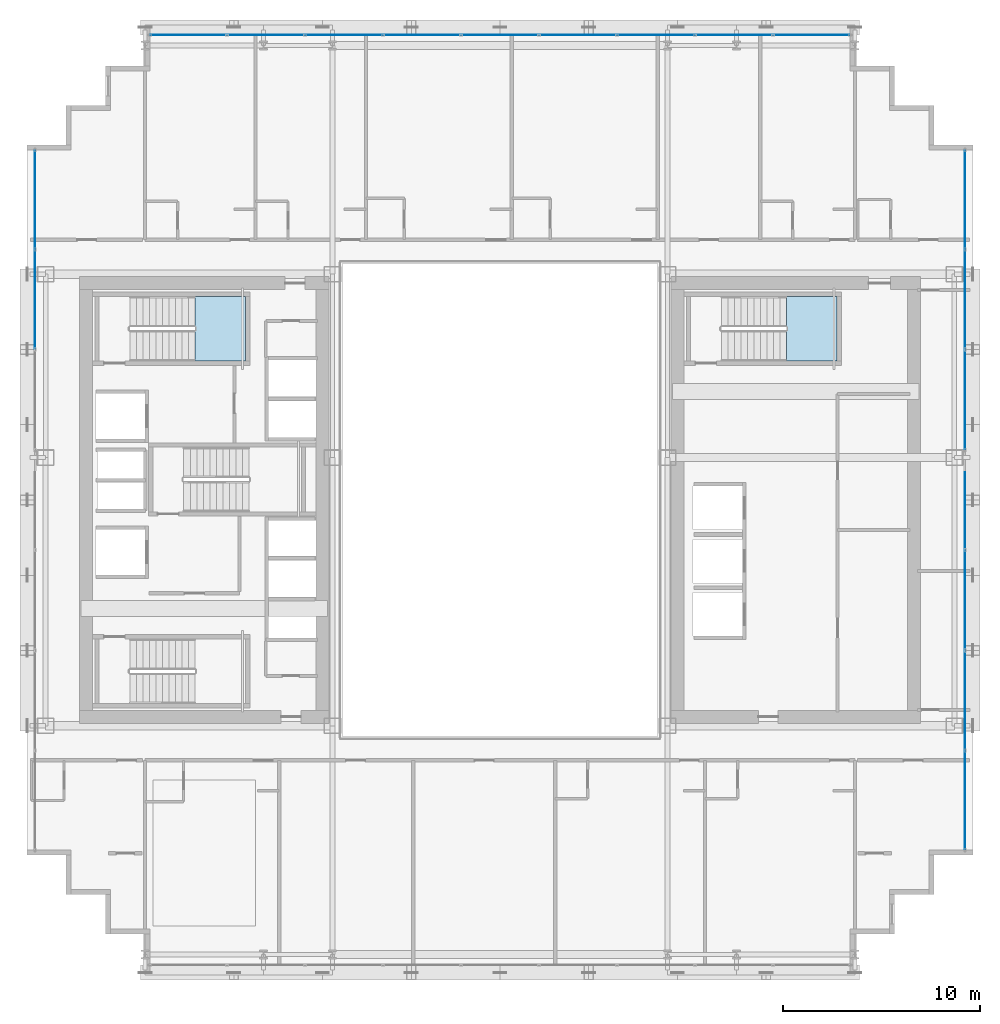
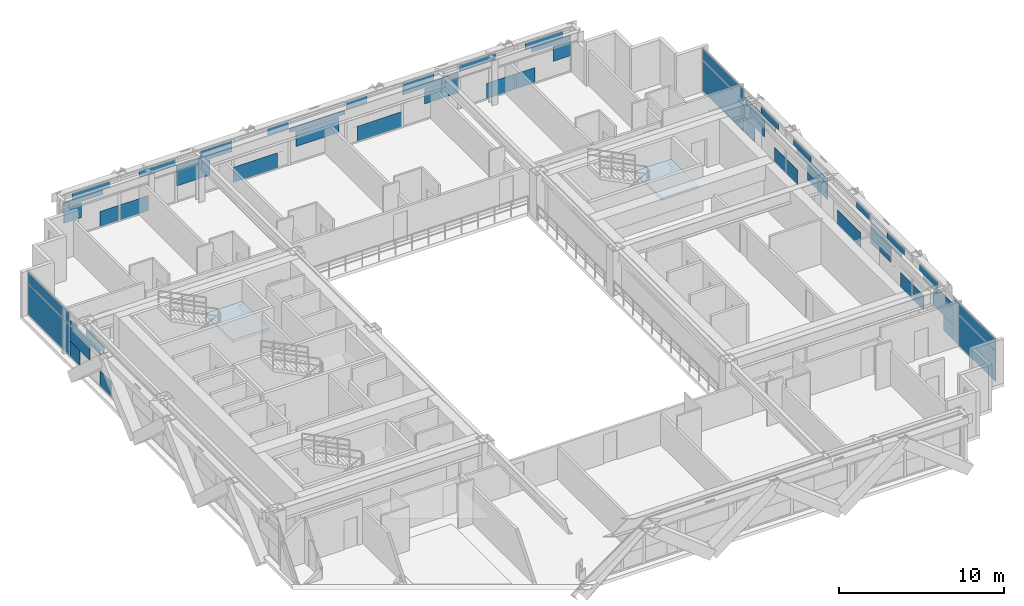
# One storey, part 24 of 36: 55 plates, 2 slabs, 5 elements without a shape of their own.
"""IFC4 building model written with IfcOpenShell, lengths in metres."""

from ifc_helpers import new_model, si_unit, direction, frame, origin, origin_2d, place, context, subcontext, project, spatial, polyline, rectangle, outline, extrude, source, transform, mapped, material, layer, layer_set, type_object, element, aggregate, save


model = new_model("IFC4")

# Units and contexts
model_context = context("Model", 3, precision=1e-05, world=origin(), true_north=direction((0.0, 1.0)))
body_context = subcontext(model_context, "Body", "Model", "MODEL_VIEW")
ifc_project = project(units=[si_unit("LENGTHUNIT", "METRE"), si_unit("AREAUNIT", "SQUARE_METRE"), si_unit("VOLUMEUNIT", "CUBIC_METRE"), si_unit("PLANEANGLEUNIT", "RADIAN"), si_unit("MASSUNIT", "GRAM", prefix="KILO")], contexts=[model_context])

# Site, building, storey
site_placement = place(None, origin())
site = spatial("IfcSite", under=ifc_project, at=site_placement, CompositionType="ELEMENT")
building_placement = place(site_placement, origin())
building = spatial("IfcBuilding", under=site, at=building_placement, Name="Ocotamira Hotel", CompositionType="ELEMENT")
storey_placement = place(building_placement, frame((0.0, 0.0, 147.60009765625)))
storey = spatial("IfcBuildingStorey", under=building, at=storey_placement, Name="L37", CompositionType="ELEMENT", Elevation=147.60009765625)

# Stair, slab
ifc_material_1 = material(Name="Concrete C40/50", Category="concrete")
stair_type = type_object("IfcStairType", Name="ST-CORE-1560", PredefinedType="HALF_TURN_STAIR", material=ifc_material_1)
stair_1_placement = place(storey_placement, origin())
stair_1 = element("IfcStair", 1, at=stair_1_placement, inside=storey, type_object=stair_type, Name="L37 Exit Stair ST-2", PredefinedType="HALF_TURN_STAIR")
ifc_layer_1 = layer(ifc_material_1, 0.199951171875)
ifc_layer_set_1 = layer_set([ifc_layer_1], Name="Concrete C40/50")
slab_type = type_object("IfcSlabType", Name="SLB-LAND-200", PredefinedType="LANDING", material=ifc_layer_set_1)
slab_1_placement = place(storey_placement, frame((0.0, 0.0, 1.599853515625)))
slab_1 = element("IfcSlab", 2, at=slab_1_placement, type_object=slab_type, Name="ST-2 landing 1", PredefinedType="LANDING", context=body_context, shape_type="SweptSolid", body=[
    extrude(outline(polyline([(16.530029296875, 33.050048828125), (19.090087890625, 33.050048828125), (19.090087890625, 36.330078125), (16.530029296875, 36.330078125), (16.530029296875, 33.050048828125)])), origin(), (0.0, 0.0, 1.0), 0.199951171875),
])
aggregate(stair_1, [slab_1])

stair_2_placement = place(storey_placement, origin())
stair_2 = element("IfcStair", 3, at=stair_2_placement, inside=storey, type_object=stair_type, Name="L37 Exit Stair ST-4", PredefinedType="HALF_TURN_STAIR")
slab_2_placement = place(storey_placement, frame((0.0, 0.0, 1.599853515625)))
slab_2 = element("IfcSlab", 4, at=slab_2_placement, type_object=slab_type, Name="ST-4 landing 1", PredefinedType="LANDING", context=body_context, shape_type="SweptSolid", body=[
    extrude(outline(polyline([(46.530029296875, 33.050048828125), (49.090087890625, 33.050048828125), (49.090087890625, 36.330078125), (46.530029296875, 36.330078125), (46.530029296875, 33.050048828125)])), origin(), (0.0, 0.0, 1.0), 0.199951171875),
])
aggregate(stair_2, [slab_2])

# Curtain wall, plate
ifc_material_2 = material(Name="Anodised pale-metal aluminium and solar glass", Category="aluminium")
ifc_layer_2 = layer(ifc_material_2, 0.179931640625)
ifc_layer_set_2 = layer_set([ifc_layer_2], Name="Anodised pale-metal aluminium and solar glass")
curtain_wall_type = type_object("IfcCurtainWallType", Name="CW-SYS3-Z2", PredefinedType="NOTDEFINED", material=ifc_layer_set_2)
curtain_wall_1_placement = place(storey_placement, origin())
curtain_wall_1 = element("IfcCurtainWall", 5, at=curtain_wall_1_placement, inside=storey, type_object=curtain_wall_type, Name="L37 Curtain Wall CW-3 CW-L37-W", PredefinedType="NOTDEFINED")
ifc_material_3 = material(Name="Double-silver low-E insulated solar glass", Category="glass")
ifc_layer_3 = layer(ifc_material_3, 0.031982421875)
ifc_layer_set_3 = layer_set([ifc_layer_3], Name="Double-silver low-E insulated solar glass")
plate_type = type_object("IfcPlateType", Name="CWP-VISION-32", PredefinedType="CURTAIN_PANEL", material=ifc_layer_set_3)
shared_shape_1 = source(origin(), body_context, "Body", "SweptSolid", [
    extrude(rectangle(XDim=4.9658203125, YDim=0.031982421875, at=origin_2d()), origin(), (0.0, 0.0, 1.0), 2.237548828125),
])
plate_1_placement = place(storey_placement, frame((8.419921875, 41.237060546875, 0.07470703125), z_axis=(0.0, 0.0, 1.0), x_axis=(0.0, 1.0, 0.0)))
plate_1 = element("IfcPlate", 6, at=plate_1_placement, type_object=plate_type, Name="CW-3 panel 7.1", PredefinedType="CURTAIN_PANEL", context=body_context, shape_type="MappedRepresentation", body=[
    mapped(shared_shape_1, transform((0.0, 0.0, 0.0), scale=1.0)),
])

# Curtain wall, plates
curtain_wall_2_placement = place(storey_placement, origin())
curtain_wall_2 = element("IfcCurtainWall", 7, at=curtain_wall_2_placement, inside=storey, type_object=curtain_wall_type, Name="L37 Curtain Wall CW-3 CW-L37-E", PredefinedType="NOTDEFINED")
plate_2_placement = place(storey_placement, frame((55.580078125, 10.762939453125, 0.07470703125), z_axis=(0.0, 0.0, 1.0), x_axis=(0.0, 1.0, 0.0)))
plate_2 = element("IfcPlate", 8, at=plate_2_placement, type_object=plate_type, Name="CW-3 panel 1.1", PredefinedType="CURTAIN_PANEL", context=body_context, shape_type="MappedRepresentation", body=[
    mapped(shared_shape_1, transform((0.0, 0.0, 0.0), scale=1.0)),
])
plate_3_placement = place(storey_placement, frame((55.580078125, 41.237060546875, 0.07470703125), z_axis=(0.0, 0.0, 1.0), x_axis=(0.0, 1.0, 0.0)))
plate_3 = element("IfcPlate", 9, at=plate_3_placement, type_object=plate_type, Name="CW-3 panel 7.1", PredefinedType="CURTAIN_PANEL", context=body_context, shape_type="MappedRepresentation", body=[
    mapped(shared_shape_1, transform((0.0, 0.0, 0.0), scale=1.0)),
])

# Plate
shared_shape_2 = source(origin(), body_context, "Body", "SweptSolid", [
    extrude(rectangle(XDim=4.9658203125, YDim=0.031982421875, at=origin_2d()), origin(), (0.0, 0.0, 1.0), 0.8173828125),
])
plate_4_placement = place(storey_placement, frame((8.419921875, 41.237060546875, 2.387451171875), z_axis=(0.0, 0.0, 1.0), x_axis=(0.0, 1.0, 0.0)))
plate_4 = element("IfcPlate", 10, at=plate_4_placement, type_object=plate_type, Name="CW-3 panel 7.2", PredefinedType="CURTAIN_PANEL", context=body_context, shape_type="MappedRepresentation", body=[
    mapped(shared_shape_2, transform((0.0, 0.0, 0.0), scale=1.0)),
])

plate_5_placement = place(storey_placement, frame((55.580078125, 10.762939453125, 2.387451171875), z_axis=(0.0, 0.0, 1.0), x_axis=(0.0, 1.0, 0.0)))
plate_5 = element("IfcPlate", 11, at=plate_5_placement, type_object=plate_type, Name="CW-3 panel 1.2", PredefinedType="CURTAIN_PANEL", context=body_context, shape_type="MappedRepresentation", body=[
    mapped(shared_shape_2, transform((0.0, 0.0, 0.0), scale=1.0)),
])

plate_6_placement = place(storey_placement, frame((55.580078125, 41.237060546875, 2.387451171875), z_axis=(0.0, 0.0, 1.0), x_axis=(0.0, 1.0, 0.0)))
plate_6 = element("IfcPlate", 12, at=plate_6_placement, type_object=plate_type, Name="CW-3 panel 7.2", PredefinedType="CURTAIN_PANEL", context=body_context, shape_type="MappedRepresentation", body=[
    mapped(shared_shape_2, transform((0.0, 0.0, 0.0), scale=1.0)),
])

# Curtain wall, plates
curtain_wall_3_placement = place(storey_placement, origin())
curtain_wall_3 = element("IfcCurtainWall", 13, at=curtain_wall_3_placement, inside=storey, type_object=curtain_wall_type, Name="L37 Curtain Wall CW-3 CW-L37-N", PredefinedType="NOTDEFINED")
shared_shape_3 = source(origin(), body_context, "Body", "SweptSolid", [
    extrude(rectangle(XDim=1.223388671875, YDim=0.031982421875, at=origin_2d()), origin(), (0.0, 0.0, 1.0), 1.118896484375),
])
plate_7_placement = place(storey_placement, frame((14.8916015625, 49.580078125, 1.193359375), z_axis=(0.0, 0.0, 1.0), x_axis=(1.0, 0.0, 0.0)))
plate_7 = element("IfcPlate", 14, at=plate_7_placement, type_object=plate_type, Name="CW-3 panel 1.1.1", PredefinedType="CURTAIN_PANEL", context=body_context, shape_type="MappedRepresentation", body=[
    mapped(shared_shape_3, transform((0.0, 0.0, 0.0), scale=1.0)),
])
plate_8_placement = place(storey_placement, frame((49.1083984375, 49.580078125, 1.193359375), z_axis=(0.0, 0.0, 1.0), x_axis=(1.0, 0.0, 0.0)))
plate_8 = element("IfcPlate", 15, at=plate_8_placement, type_object=plate_type, Name="CW-3 panel 9.1.2", PredefinedType="CURTAIN_PANEL", context=body_context, shape_type="MappedRepresentation", body=[
    mapped(shared_shape_3, transform((0.0, 0.0, 0.0), scale=1.0)),
])
shared_shape_4 = source(origin(), body_context, "Body", "SweptSolid", [
    extrude(rectangle(XDim=1.313720703125, YDim=0.031982421875, at=origin_2d()), origin(), (0.0, 0.0, 1.0), 1.11865234375),
])
plate_9_placement = place(storey_placement, frame((17.458740234375, 49.580078125, 0.074951171875), z_axis=(0.0, 0.0, 1.0), x_axis=(1.0, 0.0, 0.0)))
plate_9 = element("IfcPlate", 16, at=plate_9_placement, type_object=plate_type, Name="CW-3 panel 1.1.2", PredefinedType="CURTAIN_PANEL", context=body_context, shape_type="MappedRepresentation", body=[
    mapped(shared_shape_4, transform((0.0, 0.0, 0.0), scale=1.0)),
])
plate_10_placement = place(storey_placement, frame((46.541259765625, 49.580078125, 0.074951171875), z_axis=(0.0, 0.0, 1.0), x_axis=(1.0, 0.0, 0.0)))
plate_10 = element("IfcPlate", 17, at=plate_10_placement, type_object=plate_type, Name="CW-3 panel 9.1.1", PredefinedType="CURTAIN_PANEL", context=body_context, shape_type="MappedRepresentation", body=[
    mapped(shared_shape_4, transform((0.0, 0.0, 0.0), scale=1.0)),
])
shared_shape_5 = source(origin(), body_context, "Body", "SweptSolid", [
    extrude(rectangle(XDim=2.74951171875, YDim=0.031982421875, at=origin_2d()), origin(), (0.0, 0.0, 1.0), 0.315185546875),
])
plate_11_placement = place(storey_placement, frame((15.65478515625, 49.580078125, 2.38720703125), z_axis=(0.0, 0.0, 1.0), x_axis=(1.0, 0.0, 0.0)))
plate_11 = element("IfcPlate", 18, at=plate_11_placement, type_object=plate_type, Name="CW-3 panel 1.2.1", PredefinedType="CURTAIN_PANEL", context=body_context, shape_type="MappedRepresentation", body=[
    mapped(shared_shape_5, transform((0.0, 0.0, 0.0), scale=1.0)),
])
plate_12_placement = place(storey_placement, frame((48.34521484375, 49.580078125, 2.38720703125), z_axis=(0.0, 0.0, 1.0), x_axis=(1.0, 0.0, 0.0)))
plate_12 = element("IfcPlate", 19, at=plate_12_placement, type_object=plate_type, Name="CW-3 panel 9.2.2", PredefinedType="CURTAIN_PANEL", context=body_context, shape_type="MappedRepresentation", body=[
    mapped(shared_shape_5, transform((0.0, 0.0, 0.0), scale=1.0)),
])
shared_shape_6 = source(origin(), body_context, "Body", "SweptSolid", [
    extrude(rectangle(XDim=2.612060546875, YDim=0.031982421875, at=origin_2d()), origin(), (0.0, 0.0, 1.0), 0.474609375),
])
plate_13_placement = place(storey_placement, frame((16.16162109375, 49.580078125, 2.730224609375), z_axis=(0.0, 0.0, 1.0), x_axis=(1.0, 0.0, 0.0)))
plate_13 = element("IfcPlate", 20, at=plate_13_placement, type_object=plate_type, Name="CW-3 panel 1.2.2", PredefinedType="CURTAIN_PANEL", context=body_context, shape_type="MappedRepresentation", body=[
    mapped(shared_shape_6, transform((0.0, 0.0, 0.0), scale=1.0)),
])
plate_14_placement = place(storey_placement, frame((47.83837890625, 49.580078125, 2.730224609375), z_axis=(0.0, 0.0, 1.0), x_axis=(1.0, 0.0, 0.0)))
plate_14 = element("IfcPlate", 21, at=plate_14_placement, type_object=plate_type, Name="CW-3 panel 9.2.1", PredefinedType="CURTAIN_PANEL", context=body_context, shape_type="MappedRepresentation", body=[
    mapped(shared_shape_6, transform((0.0, 0.0, 0.0), scale=1.0)),
])
shared_shape_7 = source(origin(), body_context, "Body", "SweptSolid", [
    extrude(rectangle(XDim=2.002685546875, YDim=0.031982421875, at=origin_2d()), origin(), (0.0, 0.0, 1.0), 1.11865234375),
])
plate_15_placement = place(storey_placement, frame((19.197021484375, 49.580078125, 0.074951171875), z_axis=(0.0, 0.0, 1.0), x_axis=(1.0, 0.0, 0.0)))
plate_15 = element("IfcPlate", 22, at=plate_15_placement, type_object=plate_type, Name="CW-3 panel 2.1.1", PredefinedType="CURTAIN_PANEL", context=body_context, shape_type="MappedRepresentation", body=[
    mapped(shared_shape_7, transform((0.0, 0.0, 0.0), scale=1.0)),
])
plate_16_placement = place(storey_placement, frame((44.802978515625, 49.580078125, 0.074951171875), z_axis=(0.0, 0.0, 1.0), x_axis=(1.0, 0.0, 0.0)))
plate_16 = element("IfcPlate", 23, at=plate_16_placement, type_object=plate_type, Name="CW-3 panel 8.1.1", PredefinedType="CURTAIN_PANEL", context=body_context, shape_type="MappedRepresentation", body=[
    mapped(shared_shape_7, transform((0.0, 0.0, 0.0), scale=1.0)),
])
shared_shape_8 = source(origin(), body_context, "Body", "SweptSolid", [
    extrude(rectangle(XDim=2.538818359375, YDim=0.031982421875, at=origin_2d()), origin(), (0.0, 0.0, 1.0), 0.474609375),
])
plate_17_placement = place(storey_placement, frame((20.8017578125, 49.580078125, 2.730224609375), z_axis=(0.0, 0.0, 1.0), x_axis=(1.0, 0.0, 0.0)))
plate_17 = element("IfcPlate", 24, at=plate_17_placement, type_object=plate_type, Name="CW-3 panel 2.2.1", PredefinedType="CURTAIN_PANEL", context=body_context, shape_type="MappedRepresentation", body=[
    mapped(shared_shape_8, transform((0.0, 0.0, 0.0), scale=1.0)),
])
plate_18_placement = place(storey_placement, frame((43.1982421875, 49.580078125, 2.730224609375), z_axis=(0.0, 0.0, 1.0), x_axis=(1.0, 0.0, 0.0)))
plate_18 = element("IfcPlate", 25, at=plate_18_placement, type_object=plate_type, Name="CW-3 panel 8.2.1", PredefinedType="CURTAIN_PANEL", context=body_context, shape_type="MappedRepresentation", body=[
    mapped(shared_shape_8, transform((0.0, 0.0, 0.0), scale=1.0)),
])
shared_shape_9 = source(origin(), body_context, "Body", "SweptSolid", [
    extrude(rectangle(XDim=2.352294921875, YDim=0.031982421875, at=origin_2d()), origin(), (0.0, 0.0, 1.0), 1.118896484375),
])
plate_19_placement = place(storey_placement, frame((23.3271484375, 49.580078125, 1.193359375), z_axis=(0.0, 0.0, 1.0), x_axis=(1.0, 0.0, 0.0)))
plate_19 = element("IfcPlate", 26, at=plate_19_placement, type_object=plate_type, Name="CW-3 panel 3.1.1", PredefinedType="CURTAIN_PANEL", context=body_context, shape_type="MappedRepresentation", body=[
    mapped(shared_shape_9, transform((0.0, 0.0, 0.0), scale=1.0)),
])
plate_20_placement = place(storey_placement, frame((40.6728515625, 49.580078125, 1.193359375), z_axis=(0.0, 0.0, 1.0), x_axis=(1.0, 0.0, 0.0)))
plate_20 = element("IfcPlate", 27, at=plate_20_placement, type_object=plate_type, Name="CW-3 panel 7.1.1", PredefinedType="CURTAIN_PANEL", context=body_context, shape_type="MappedRepresentation", body=[
    mapped(shared_shape_9, transform((0.0, 0.0, 0.0), scale=1.0)),
])
shared_shape_10 = source(origin(), body_context, "Body", "SweptSolid", [
    extrude(rectangle(XDim=3.87548828125, YDim=0.031982421875, at=origin_2d()), origin(), (0.0, 0.0, 1.0), 0.315185546875),
])
plate_21_placement = place(storey_placement, frame((24.0888671875, 49.580078125, 2.38720703125), z_axis=(0.0, 0.0, 1.0), x_axis=(1.0, 0.0, 0.0)))
plate_21 = element("IfcPlate", 28, at=plate_21_placement, type_object=plate_type, Name="CW-3 panel 3.2.1", PredefinedType="CURTAIN_PANEL", context=body_context, shape_type="MappedRepresentation", body=[
    mapped(shared_shape_10, transform((0.0, 0.0, 0.0), scale=1.0)),
])
plate_22_placement = place(storey_placement, frame((32.0, 49.580078125, 2.38720703125), z_axis=(0.0, 0.0, 1.0), x_axis=(1.0, 0.0, 0.0)))
plate_22 = element("IfcPlate", 29, at=plate_22_placement, type_object=plate_type, Name="CW-3 panel 5.2.1", PredefinedType="CURTAIN_PANEL", context=body_context, shape_type="MappedRepresentation", body=[
    mapped(shared_shape_10, transform((0.0, 0.0, 0.0), scale=1.0)),
])
plate_23_placement = place(storey_placement, frame((39.9111328125, 49.580078125, 2.38720703125), z_axis=(0.0, 0.0, 1.0), x_axis=(1.0, 0.0, 0.0)))
plate_23 = element("IfcPlate", 30, at=plate_23_placement, type_object=plate_type, Name="CW-3 panel 7.2.1", PredefinedType="CURTAIN_PANEL", context=body_context, shape_type="MappedRepresentation", body=[
    mapped(shared_shape_10, transform((0.0, 0.0, 0.0), scale=1.0)),
])
shared_shape_11 = source(origin(), body_context, "Body", "SweptSolid", [
    extrude(rectangle(XDim=2.1708984375, YDim=0.031982421875, at=origin_2d()), origin(), (0.0, 0.0, 1.0), 0.502197265625),
])
plate_24_placement = place(storey_placement, frame((24.941162109375, 49.580078125, 2.70263671875), z_axis=(0.0, 0.0, 1.0), x_axis=(1.0, 0.0, 0.0)))
plate_24 = element("IfcPlate", 31, at=plate_24_placement, type_object=plate_type, Name="CW-3 panel 3.2.2", PredefinedType="CURTAIN_PANEL", context=body_context, shape_type="MappedRepresentation", body=[
    mapped(shared_shape_11, transform((0.0, 0.0, 0.0), scale=1.0)),
])
plate_25_placement = place(storey_placement, frame((39.058837890625, 49.580078125, 2.70263671875), z_axis=(0.0, 0.0, 1.0), x_axis=(1.0, 0.0, 0.0)))
plate_25 = element("IfcPlate", 32, at=plate_25_placement, type_object=plate_type, Name="CW-3 panel 7.2.2", PredefinedType="CURTAIN_PANEL", context=body_context, shape_type="MappedRepresentation", body=[
    mapped(shared_shape_11, transform((0.0, 0.0, 0.0), scale=1.0)),
])
shared_shape_12 = source(origin(), body_context, "Body", "SweptSolid", [
    extrude(rectangle(XDim=3.091552734375, YDim=0.031982421875, at=origin_2d()), origin(), (0.0, 0.0, 1.0), 1.11865234375),
])
plate_26_placement = place(storey_placement, frame((27.652587890625, 49.580078125, 0.074951171875), z_axis=(0.0, 0.0, 1.0), x_axis=(1.0, 0.0, 0.0)))
plate_26 = element("IfcPlate", 33, at=plate_26_placement, type_object=plate_type, Name="CW-3 panel 4.1.1", PredefinedType="CURTAIN_PANEL", context=body_context, shape_type="MappedRepresentation", body=[
    mapped(shared_shape_12, transform((0.0, 0.0, 0.0), scale=1.0)),
])
plate_27_placement = place(storey_placement, frame((36.347412109375, 49.580078125, 0.074951171875), z_axis=(0.0, 0.0, 1.0), x_axis=(1.0, 0.0, 0.0)))
plate_27 = element("IfcPlate", 34, at=plate_27_placement, type_object=plate_type, Name="CW-3 panel 6.1.1", PredefinedType="CURTAIN_PANEL", context=body_context, shape_type="MappedRepresentation", body=[
    mapped(shared_shape_12, transform((0.0, 0.0, 0.0), scale=1.0)),
])
shared_shape_13 = source(origin(), body_context, "Body", "SweptSolid", [
    extrude(rectangle(XDim=1.449951171875, YDim=0.031982421875, at=origin_2d()), origin(), (0.0, 0.0, 1.0), 0.474609375),
])
plate_28_placement = place(storey_placement, frame((29.25732421875, 49.580078125, 2.730224609375), z_axis=(0.0, 0.0, 1.0), x_axis=(1.0, 0.0, 0.0)))
plate_28 = element("IfcPlate", 35, at=plate_28_placement, type_object=plate_type, Name="CW-3 panel 4.2.1", PredefinedType="CURTAIN_PANEL", context=body_context, shape_type="MappedRepresentation", body=[
    mapped(shared_shape_13, transform((0.0, 0.0, 0.0), scale=1.0)),
])
plate_29_placement = place(storey_placement, frame((34.74267578125, 49.580078125, 2.730224609375), z_axis=(0.0, 0.0, 1.0), x_axis=(1.0, 0.0, 0.0)))
plate_29 = element("IfcPlate", 36, at=plate_29_placement, type_object=plate_type, Name="CW-3 panel 6.2.1", PredefinedType="CURTAIN_PANEL", context=body_context, shape_type="MappedRepresentation", body=[
    mapped(shared_shape_13, transform((0.0, 0.0, 0.0), scale=1.0)),
])
shared_shape_14 = source(origin(), body_context, "Body", "SweptSolid", [
    extrude(rectangle(XDim=3.006591796875, YDim=0.031982421875, at=origin_2d()), origin(), (0.0, 0.0, 1.0), 1.118896484375),
])
plate_30_placement = place(storey_placement, frame((32.0, 49.580078125, 1.193359375), z_axis=(0.0, 0.0, 1.0), x_axis=(1.0, 0.0, 0.0)))
plate_30 = element("IfcPlate", 37, at=plate_30_placement, type_object=plate_type, Name="CW-3 panel 5.1.1", PredefinedType="CURTAIN_PANEL", context=body_context, shape_type="MappedRepresentation", body=[
    mapped(shared_shape_14, transform((0.0, 0.0, 0.0), scale=1.0)),
])
aggregate(curtain_wall_3, [plate_7, plate_9, plate_11, plate_13, plate_15, plate_17, plate_19, plate_21, plate_24, plate_26, plate_28, plate_30, plate_22, plate_27, plate_29, plate_20, plate_23, plate_25, plate_16, plate_18, plate_10, plate_8, plate_14, plate_12])

# Plate
shared_shape_15 = source(origin(), body_context, "Body", "SweptSolid", [
    extrude(rectangle(XDim=1.246826171875, YDim=0.031982421875, at=origin_2d()), origin(), (0.0, 0.0, 1.0), 1.11865234375),
])
plate_31_placement = place(storey_placement, frame((8.419921875, 38.05078125, 0.074951171875), z_axis=(0.0, 0.0, 1.0), x_axis=(0.0, 1.0, 0.0)))
plate_31 = element("IfcPlate", 38, at=plate_31_placement, type_object=plate_type, Name="CW-3 panel 6.1.3", PredefinedType="CURTAIN_PANEL", context=body_context, shape_type="MappedRepresentation", body=[
    mapped(shared_shape_15, transform((0.0, 0.0, 0.0), scale=1.0)),
])

plate_32_placement = place(storey_placement, frame((55.580078125, 13.94921875, 0.074951171875), z_axis=(0.0, 0.0, 1.0), x_axis=(0.0, 1.0, 0.0)))
plate_32 = element("IfcPlate", 39, at=plate_32_placement, type_object=plate_type, Name="CW-3 panel 2.1.1", PredefinedType="CURTAIN_PANEL", context=body_context, shape_type="MappedRepresentation", body=[
    mapped(shared_shape_15, transform((0.0, 0.0, 0.0), scale=1.0)),
])

plate_33_placement = place(storey_placement, frame((55.580078125, 38.05078125, 0.074951171875), z_axis=(0.0, 0.0, 1.0), x_axis=(0.0, 1.0, 0.0)))
plate_33 = element("IfcPlate", 40, at=plate_33_placement, type_object=plate_type, Name="CW-3 panel 6.1.3", PredefinedType="CURTAIN_PANEL", context=body_context, shape_type="MappedRepresentation", body=[
    mapped(shared_shape_15, transform((0.0, 0.0, 0.0), scale=1.0)),
])

shared_shape_16 = source(origin(), body_context, "Body", "SweptSolid", [
    extrude(rectangle(XDim=2.4599609375, YDim=0.031982421875, at=origin_2d()), origin(), (0.0, 0.0, 1.0), 1.118896484375),
])
plate_34_placement = place(storey_placement, frame((8.419921875, 37.4443359375, 1.193359375), z_axis=(0.0, 0.0, 1.0), x_axis=(0.0, 1.0, 0.0)))
plate_34 = element("IfcPlate", 41, at=plate_34_placement, type_object=plate_type, Name="CW-3 panel 6.1.2", PredefinedType="CURTAIN_PANEL", context=body_context, shape_type="MappedRepresentation", body=[
    mapped(shared_shape_16, transform((0.0, 0.0, 0.0), scale=1.0)),
])

plate_35_placement = place(storey_placement, frame((55.580078125, 14.5556640625, 1.193359375), z_axis=(0.0, 0.0, 1.0), x_axis=(0.0, 1.0, 0.0)))
plate_35 = element("IfcPlate", 42, at=plate_35_placement, type_object=plate_type, Name="CW-3 panel 2.1.2", PredefinedType="CURTAIN_PANEL", context=body_context, shape_type="MappedRepresentation", body=[
    mapped(shared_shape_16, transform((0.0, 0.0, 0.0), scale=1.0)),
])

plate_36_placement = place(storey_placement, frame((55.580078125, 37.4443359375, 1.193359375), z_axis=(0.0, 0.0, 1.0), x_axis=(0.0, 1.0, 0.0)))
plate_36 = element("IfcPlate", 43, at=plate_36_placement, type_object=plate_type, Name="CW-3 panel 6.1.2", PredefinedType="CURTAIN_PANEL", context=body_context, shape_type="MappedRepresentation", body=[
    mapped(shared_shape_16, transform((0.0, 0.0, 0.0), scale=1.0)),
])

shared_shape_17 = source(origin(), body_context, "Body", "SweptSolid", [
    extrude(rectangle(XDim=1.36572265625, YDim=0.031982421875, at=origin_2d()), origin(), (0.0, 0.0, 1.0), 1.11865234375),
])
plate_37_placement = place(storey_placement, frame((8.419921875, 34.3515625, 0.074951171875), z_axis=(0.0, 0.0, 1.0), x_axis=(0.0, 1.0, 0.0)))
plate_37 = element("IfcPlate", 44, at=plate_37_placement, type_object=plate_type, Name="CW-3 panel 6.1.1", PredefinedType="CURTAIN_PANEL", context=body_context, shape_type="MappedRepresentation", body=[
    mapped(shared_shape_17, transform((0.0, 0.0, 0.0), scale=1.0)),
])

plate_38_placement = place(storey_placement, frame((55.580078125, 17.6484375, 0.074951171875), z_axis=(0.0, 0.0, 1.0), x_axis=(0.0, 1.0, 0.0)))
plate_38 = element("IfcPlate", 45, at=plate_38_placement, type_object=plate_type, Name="CW-3 panel 2.1.3", PredefinedType="CURTAIN_PANEL", context=body_context, shape_type="MappedRepresentation", body=[
    mapped(shared_shape_17, transform((0.0, 0.0, 0.0), scale=1.0)),
])

plate_39_placement = place(storey_placement, frame((55.580078125, 34.3515625, 0.074951171875), z_axis=(0.0, 0.0, 1.0), x_axis=(0.0, 1.0, 0.0)))
plate_39 = element("IfcPlate", 46, at=plate_39_placement, type_object=plate_type, Name="CW-3 panel 6.1.1", PredefinedType="CURTAIN_PANEL", context=body_context, shape_type="MappedRepresentation", body=[
    mapped(shared_shape_17, transform((0.0, 0.0, 0.0), scale=1.0)),
])

shared_shape_18 = source(origin(), body_context, "Body", "SweptSolid", [
    extrude(rectangle(XDim=3.754150390625, YDim=0.031982421875, at=origin_2d()), origin(), (0.0, 0.0, 1.0), 0.335205078125),
])
plate_40_placement = place(storey_placement, frame((8.419921875, 36.797119140625, 2.38720703125), z_axis=(0.0, 0.0, 1.0), x_axis=(0.0, 1.0, 0.0)))
plate_40 = element("IfcPlate", 47, at=plate_40_placement, type_object=plate_type, Name="CW-3 panel 6.2.2", PredefinedType="CURTAIN_PANEL", context=body_context, shape_type="MappedRepresentation", body=[
    mapped(shared_shape_18, transform((0.0, 0.0, 0.0), scale=1.0)),
])

plate_41_placement = place(storey_placement, frame((55.580078125, 15.202880859375, 2.38720703125), z_axis=(0.0, 0.0, 1.0), x_axis=(0.0, 1.0, 0.0)))
plate_41 = element("IfcPlate", 48, at=plate_41_placement, type_object=plate_type, Name="CW-3 panel 2.2.1", PredefinedType="CURTAIN_PANEL", context=body_context, shape_type="MappedRepresentation", body=[
    mapped(shared_shape_18, transform((0.0, 0.0, 0.0), scale=1.0)),
])

plate_42_placement = place(storey_placement, frame((55.580078125, 36.797119140625, 2.38720703125), z_axis=(0.0, 0.0, 1.0), x_axis=(0.0, 1.0, 0.0)))
plate_42 = element("IfcPlate", 49, at=plate_42_placement, type_object=plate_type, Name="CW-3 panel 6.2.2", PredefinedType="CURTAIN_PANEL", context=body_context, shape_type="MappedRepresentation", body=[
    mapped(shared_shape_18, transform((0.0, 0.0, 0.0), scale=1.0)),
])

shared_shape_19 = source(origin(), body_context, "Body", "SweptSolid", [
    extrude(rectangle(XDim=2.160400390625, YDim=0.031982421875, at=origin_2d()), origin(), (0.0, 0.0, 1.0), 0.4521484375),
])
plate_43_placement = place(storey_placement, frame((8.419921875, 35.60400390625, 2.7529296875), z_axis=(0.0, 0.0, 1.0), x_axis=(0.0, 1.0, 0.0)))
plate_43 = element("IfcPlate", 50, at=plate_43_placement, type_object=plate_type, Name="CW-3 panel 6.2.1", PredefinedType="CURTAIN_PANEL", context=body_context, shape_type="MappedRepresentation", body=[
    mapped(shared_shape_19, transform((0.0, 0.0, 0.0), scale=1.0)),
])

aggregate(curtain_wall_1, [plate_37, plate_34, plate_31, plate_43, plate_40, plate_1, plate_4])

plate_44_placement = place(storey_placement, frame((55.580078125, 16.39599609375, 2.7529296875), z_axis=(0.0, 0.0, 1.0), x_axis=(0.0, 1.0, 0.0)))
plate_44 = element("IfcPlate", 51, at=plate_44_placement, type_object=plate_type, Name="CW-3 panel 2.2.2", PredefinedType="CURTAIN_PANEL", context=body_context, shape_type="MappedRepresentation", body=[
    mapped(shared_shape_19, transform((0.0, 0.0, 0.0), scale=1.0)),
])

plate_45_placement = place(storey_placement, frame((55.580078125, 20.33740234375, 2.7529296875), z_axis=(0.0, 0.0, 1.0), x_axis=(0.0, 1.0, 0.0)))
plate_45 = element("IfcPlate", 52, at=plate_45_placement, type_object=plate_type, Name="CW-3 panel 3.2.1", PredefinedType="CURTAIN_PANEL", context=body_context, shape_type="MappedRepresentation", body=[
    mapped(shared_shape_19, transform((0.0, 0.0, 0.0), scale=1.0)),
])

plate_46_placement = place(storey_placement, frame((55.580078125, 31.66259765625, 2.7529296875), z_axis=(0.0, 0.0, 1.0), x_axis=(0.0, 1.0, 0.0)))
plate_46 = element("IfcPlate", 53, at=plate_46_placement, type_object=plate_type, Name="CW-3 panel 5.2.2", PredefinedType="CURTAIN_PANEL", context=body_context, shape_type="MappedRepresentation", body=[
    mapped(shared_shape_19, transform((0.0, 0.0, 0.0), scale=1.0)),
])

plate_47_placement = place(storey_placement, frame((55.580078125, 35.60400390625, 2.7529296875), z_axis=(0.0, 0.0, 1.0), x_axis=(0.0, 1.0, 0.0)))
plate_47 = element("IfcPlate", 54, at=plate_47_placement, type_object=plate_type, Name="CW-3 panel 6.2.1", PredefinedType="CURTAIN_PANEL", context=body_context, shape_type="MappedRepresentation", body=[
    mapped(shared_shape_19, transform((0.0, 0.0, 0.0), scale=1.0)),
])

shared_shape_20 = source(origin(), body_context, "Body", "SweptSolid", [
    extrude(rectangle(XDim=1.356201171875, YDim=0.031982421875, at=origin_2d()), origin(), (0.0, 0.0, 1.0), 1.11865234375),
])
plate_48_placement = place(storey_placement, frame((55.580078125, 19.089599609375, 0.074951171875), z_axis=(0.0, 0.0, 1.0), x_axis=(0.0, 1.0, 0.0)))
plate_48 = element("IfcPlate", 55, at=plate_48_placement, type_object=plate_type, Name="CW-3 panel 3.1.1", PredefinedType="CURTAIN_PANEL", context=body_context, shape_type="MappedRepresentation", body=[
    mapped(shared_shape_20, transform((0.0, 0.0, 0.0), scale=1.0)),
])

plate_49_placement = place(storey_placement, frame((55.580078125, 32.910400390625, 0.074951171875), z_axis=(0.0, 0.0, 1.0), x_axis=(0.0, 1.0, 0.0)))
plate_49 = element("IfcPlate", 56, at=plate_49_placement, type_object=plate_type, Name="CW-3 panel 5.1.2", PredefinedType="CURTAIN_PANEL", context=body_context, shape_type="MappedRepresentation", body=[
    mapped(shared_shape_20, transform((0.0, 0.0, 0.0), scale=1.0)),
])

shared_shape_21 = source(origin(), body_context, "Body", "SweptSolid", [
    extrude(rectangle(XDim=2.469482421875, YDim=0.031982421875, at=origin_2d()), origin(), (0.0, 0.0, 1.0), 1.118896484375),
])
plate_50_placement = place(storey_placement, frame((55.580078125, 22.182373046875, 1.193359375), z_axis=(0.0, 0.0, 1.0), x_axis=(0.0, 1.0, 0.0)))
plate_50 = element("IfcPlate", 57, at=plate_50_placement, type_object=plate_type, Name="CW-3 panel 3.1.2", PredefinedType="CURTAIN_PANEL", context=body_context, shape_type="MappedRepresentation", body=[
    mapped(shared_shape_21, transform((0.0, 0.0, 0.0), scale=1.0)),
])

plate_51_placement = place(storey_placement, frame((55.580078125, 29.817626953125, 1.193359375), z_axis=(0.0, 0.0, 1.0), x_axis=(0.0, 1.0, 0.0)))
plate_51 = element("IfcPlate", 58, at=plate_51_placement, type_object=plate_type, Name="CW-3 panel 5.1.1", PredefinedType="CURTAIN_PANEL", context=body_context, shape_type="MappedRepresentation", body=[
    mapped(shared_shape_21, transform((0.0, 0.0, 0.0), scale=1.0)),
])

shared_shape_22 = source(origin(), body_context, "Body", "SweptSolid", [
    extrude(rectangle(XDim=3.763916015625, YDim=0.031982421875, at=origin_2d()), origin(), (0.0, 0.0, 1.0), 0.335205078125),
])
plate_52_placement = place(storey_placement, frame((55.580078125, 21.53515625, 2.38720703125), z_axis=(0.0, 0.0, 1.0), x_axis=(0.0, 1.0, 0.0)))
plate_52 = element("IfcPlate", 59, at=plate_52_placement, type_object=plate_type, Name="CW-3 panel 3.2.2", PredefinedType="CURTAIN_PANEL", context=body_context, shape_type="MappedRepresentation", body=[
    mapped(shared_shape_22, transform((0.0, 0.0, 0.0), scale=1.0)),
])

plate_53_placement = place(storey_placement, frame((55.580078125, 30.46484375, 2.38720703125), z_axis=(0.0, 0.0, 1.0), x_axis=(0.0, 1.0, 0.0)))
plate_53 = element("IfcPlate", 60, at=plate_53_placement, type_object=plate_type, Name="CW-3 panel 5.2.1", PredefinedType="CURTAIN_PANEL", context=body_context, shape_type="MappedRepresentation", body=[
    mapped(shared_shape_22, transform((0.0, 0.0, 0.0), scale=1.0)),
])

shared_shape_23 = source(origin(), body_context, "Body", "SweptSolid", [
    extrude(rectangle(XDim=2.802001953125, YDim=0.031982421875, at=origin_2d()), origin(), (0.0, 0.0, 1.0), 1.11865234375),
])
plate_54_placement = place(storey_placement, frame((55.580078125, 26.0, 0.074951171875), z_axis=(0.0, 0.0, 1.0), x_axis=(0.0, 1.0, 0.0)))
plate_54 = element("IfcPlate", 61, at=plate_54_placement, type_object=plate_type, Name="CW-3 panel 4.1.1", PredefinedType="CURTAIN_PANEL", context=body_context, shape_type="MappedRepresentation", body=[
    mapped(shared_shape_23, transform((0.0, 0.0, 0.0), scale=1.0)),
])

shared_shape_24 = source(origin(), body_context, "Body", "SweptSolid", [
    extrude(rectangle(XDim=1.6123046875, YDim=0.031982421875, at=origin_2d()), origin(), (0.0, 0.0, 1.0), 0.4521484375),
])
plate_55_placement = place(storey_placement, frame((55.580078125, 24.30322265625, 2.7529296875), z_axis=(0.0, 0.0, 1.0), x_axis=(0.0, 1.0, 0.0)))
plate_55 = element("IfcPlate", 62, at=plate_55_placement, type_object=plate_type, Name="CW-3 panel 4.2.1", PredefinedType="CURTAIN_PANEL", context=body_context, shape_type="MappedRepresentation", body=[
    mapped(shared_shape_24, transform((0.0, 0.0, 0.0), scale=1.0)),
])

aggregate(curtain_wall_2, [plate_2, plate_5, plate_32, plate_35, plate_38, plate_41, plate_44, plate_48, plate_50, plate_45, plate_52, plate_54, plate_55, plate_51, plate_49, plate_53, plate_46, plate_39, plate_36, plate_33, plate_47, plate_42, plate_3, plate_6])

save(model, "model.ifc")
